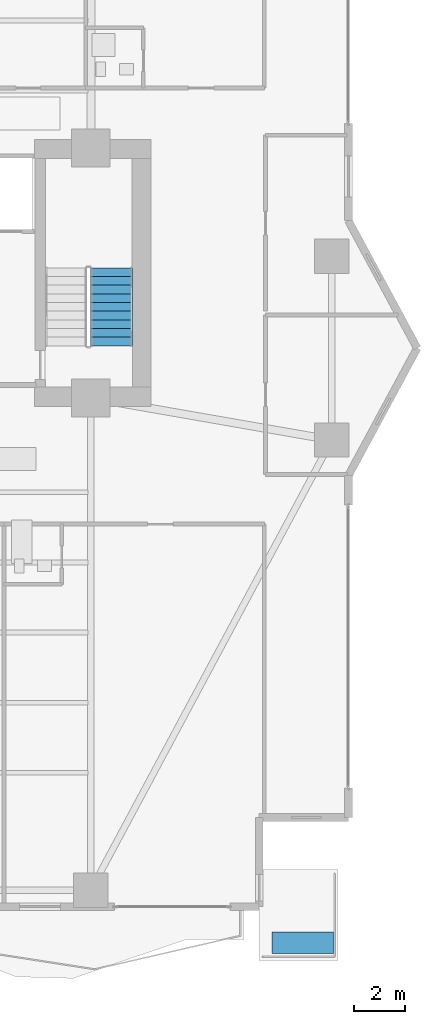
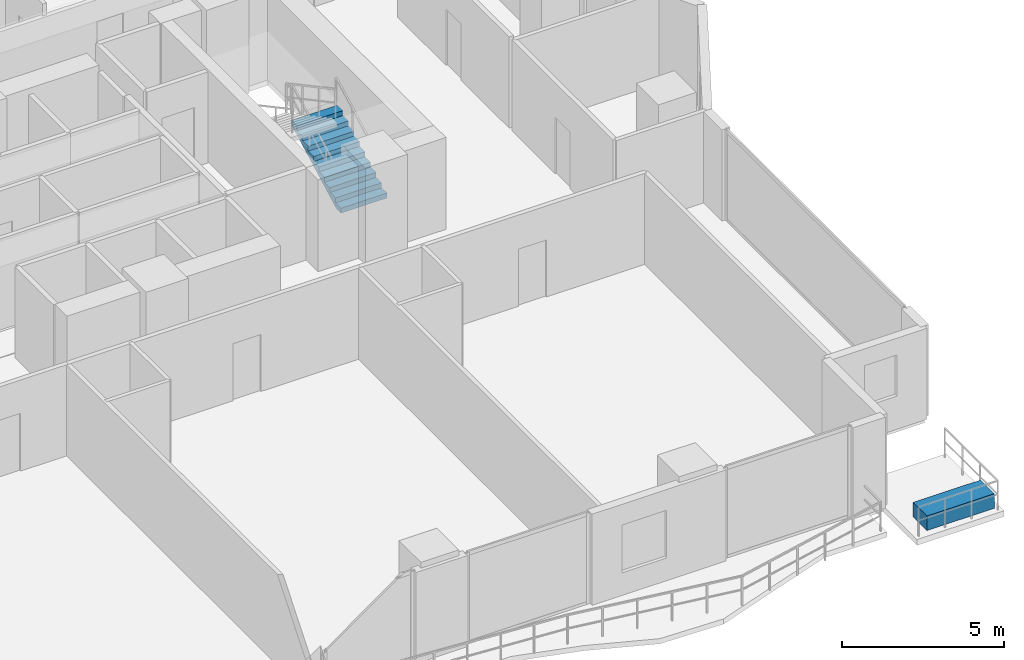
# One storey, part 25 of 30: 1 building element part, 1 stair flight, 1 element without a shape of its own.
"""IFC4 building model written with IfcOpenShell, lengths in metres."""

from ifc_helpers import new_model, si_unit, direction, frame, origin, origin_2d, place, context, subcontext, project, spatial, polyline, rectangle, outline, extrude, material, layer, layer_set, type_object, element, aggregate, save


model = new_model("IFC4")

# Units and contexts
model_context = context("Model", 3, precision=1e-05, world=origin(), true_north=direction((0.0, 1.0)))
body_context = subcontext(model_context, "Body", "Model", "MODEL_VIEW")
ifc_project = project(units=[si_unit("LENGTHUNIT", "METRE"), si_unit("AREAUNIT", "SQUARE_METRE"), si_unit("VOLUMEUNIT", "CUBIC_METRE"), si_unit("PLANEANGLEUNIT", "RADIAN"), si_unit("MASSUNIT", "GRAM", prefix="KILO")], contexts=[model_context])

# Site, building, storey
site_placement = place(None, origin())
site = spatial("IfcSite", under=ifc_project, at=site_placement, CompositionType="ELEMENT")
building_placement = place(site_placement, origin())
building = spatial("IfcBuilding", under=site, at=building_placement, Name="Zuhayl Quay Hotel", CompositionType="ELEMENT")
storey_placement = place(building_placement, frame((0.0, 0.0, 135.800048828125)))
storey = spatial("IfcBuildingStorey", under=building, at=storey_placement, Name="L34", CompositionType="ELEMENT", Elevation=135.800048828125)

# Stair, stair flight
ifc_material_1 = material(Name="Concrete C45/55", Category="concrete")
stair_type = type_object("IfcStairType", Name="ST_DOGLEG_TOWER", PredefinedType="HALF_TURN_STAIR", material=ifc_material_1)
stair_placement = place(storey_placement, origin())
stair = element("IfcStair", 1, at=stair_placement, inside=storey, type_object=stair_type, Name="L34 Smokeproof Exit Stair ST2", PredefinedType="HALF_TURN_STAIR")
ifc_layer_1 = layer(ifc_material_1, 0.159912109375, Name="Concrete C45/55", Category="concrete")
ifc_layer_set_1 = layer_set([ifc_layer_1], Name="Concrete C45/55")
stair_flight_type = type_object("IfcStairFlightType", Name="SF_CONC_164", PredefinedType="STRAIGHT", material=ifc_layer_set_1)
stair_flight_placement = place(storey_placement, frame((14.610107421875, 6.590087890625, 0.0), z_axis=(0.0, 0.0, 1.0), x_axis=(0.0, 1.0, 0.0)))
stair_flight = element("IfcStairFlight", 2, at=stair_flight_placement, type_object=stair_flight_type, Name="ST2 flight 1", NumberOfRisers=10, NumberOfTreads=9, PredefinedType="STRAIGHT", RiserHeight=0.1825, TreadLength=0.34, context=body_context, shape_type="SweptSolid", body=[
    extrude(outline(polyline([(0.0, 0.0), (0.0, 0.1826171875), (0.340087890625, 0.1826171875), (0.340087890625, 0.364990234375), (0.679931640625, 0.364990234375), (0.679931640625, 0.547607421875), (1.02001953125, 0.547607421875), (1.02001953125, 0.72998046875), (1.360107421875, 0.72998046875), (1.360107421875, 0.91259765625), (1.699951171875, 0.91259765625), (1.699951171875, 1.094970703125), (2.0400390625, 1.094970703125), (2.0400390625, 1.277587890625), (2.3798828125, 1.277587890625), (2.3798828125, 1.4599609375), (2.719970703125, 1.4599609375), (2.719970703125, 1.642578125), (3.06005859375, 1.642578125), (3.06005859375, 1.824951171875), (3.06005859375, 1.472412109375), (0.31689453125, 0.0), (0.0, 0.0)])), frame((0.0, 0.81982421875, 0.0), z_axis=(0.0, -1.0, 0.0), x_axis=(1.0, 0.0, 0.0)), (0.0, 0.0, 1.0), 1.639892578125),
])
aggregate(stair, [stair_flight])

# Building element part
ifc_material_2 = material(Name="Precast concrete C45/55", Category="concrete")
ifc_layer_2 = layer(ifc_material_2, 0.550048828125, Name="Precast concrete C45/55", Category="concrete")
ifc_layer_set_2 = layer_set([ifc_layer_2], Name="Precast concrete C45/55")
building_element_part_type = type_object("IfcBuildingElementPartType", Name="PT_PLANTER_KERB", PredefinedType="PRECASTPANEL", material=ifc_layer_set_2)
building_element_part_placement = place(storey_placement, frame((22.110107421875, -16.81005859375, 0.0), z_axis=(0.0, 0.0, 1.0), x_axis=(1.0, 0.0, 0.0)))
element("IfcBuildingElementPart", 3, at=building_element_part_placement, inside=storey, type_object=building_element_part_type, Name="L34 Spiral Sky-Terrace Planter Box SE", PredefinedType="PRECASTPANEL", context=body_context, shape_type="SweptSolid", body=[
    extrude(rectangle(XDim=2.39990234375, YDim=0.85009765625, at=origin_2d()), origin(), (0.0, 0.0, 1.0), 0.550048828125),
])

save(model, "model.ifc")
